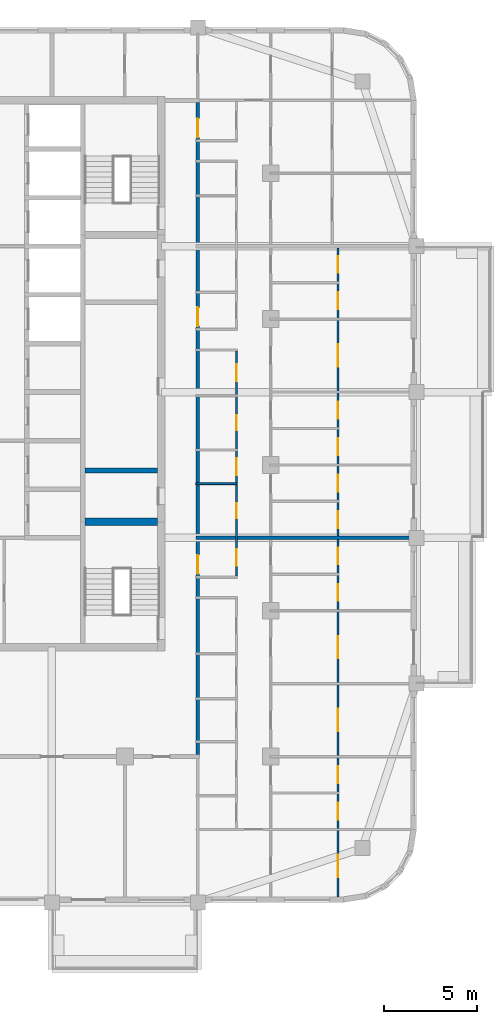
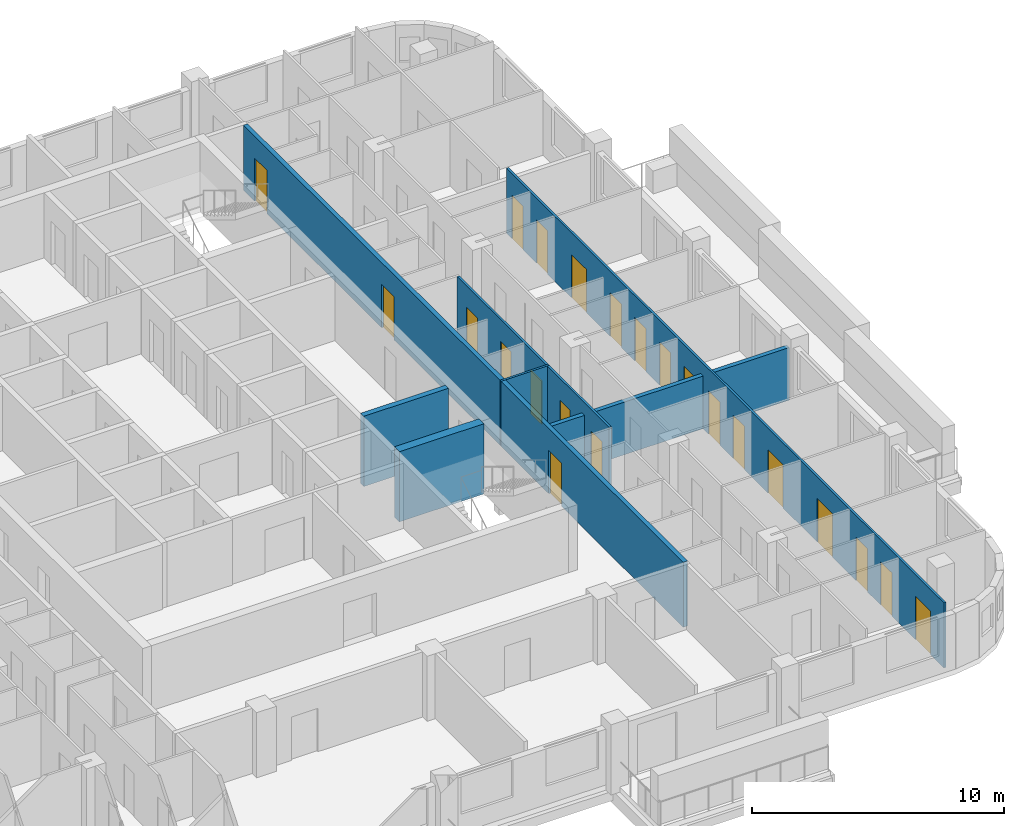
# One storey, part 7 of 16: 22 doors, 7 walls, 22 openings.
"""IFC4 building model written with IfcOpenShell, lengths in metres."""

from ifc_helpers import new_model, si_unit, direction, frame, frame_2d, origin, place, context, subcontext, project, spatial, rectangle, extrude, material, layer, layer_set, type_object, element, fill, save


model = new_model("IFC4")

# Units and contexts
model_context = context("Model", 3, precision=1e-05, world=origin(), true_north=direction((0.0, 1.0)))
body_context = subcontext(model_context, "Body", "Model", "MODEL_VIEW")
ifc_project = project(units=[si_unit("LENGTHUNIT", "METRE"), si_unit("AREAUNIT", "SQUARE_METRE"), si_unit("VOLUMEUNIT", "CUBIC_METRE"), si_unit("PLANEANGLEUNIT", "RADIAN"), si_unit("MASSUNIT", "GRAM", prefix="KILO")], contexts=[model_context])

# Site, building, storey
site_placement = place(None, origin())
site = spatial("IfcSite", under=ifc_project, at=site_placement, CompositionType="ELEMENT")
building_placement = place(site_placement, origin())
building = spatial("IfcBuilding", under=site, at=building_placement, Name="Ludao Terraces", CompositionType="ELEMENT")
storey_placement = place(building_placement, frame((0.0, 0.0, 224.5)))
storey = spatial("IfcBuildingStorey", under=building, at=storey_placement, Name="L61", CompositionType="ELEMENT", Elevation=224.5)

# Wall, openings, doors
ifc_material_1 = material(Name="Autoclaved aerated concrete block B06 A3.5", Category="concrete")
ifc_layer_1 = layer(ifc_material_1, 0.199951171875)
ifc_layer_set_1 = layer_set([ifc_layer_1], Name="INT Entrance wall 200")
wall_type_1 = type_object("IfcWallType", Name="INT Entrance wall 200", PredefinedType="PARTITIONING", material=ifc_layer_set_1)
wall_1_placement = place(storey_placement, frame((96.699951171875, 49.5, 0.0), z_axis=(0.0, 0.0, 1.0), x_axis=(0.0, 1.0, 0.0)))
wall_1 = element("IfcWall", 1, at=wall_1_placement, inside=storey, type_object=wall_type_1, Name="PW-L61-PW089", PredefinedType="PARTITIONING", context=body_context, shape_type="SweptSolid", body=[
    extrude(rectangle(XDim=34.900146484375, YDim=0.199951171875, at=frame_2d((17.4501953125, 0.0))), origin(), (0.0, 0.0, 1.0), 3.14990234375),
])
opening_1_placement = place(wall_1_placement, frame((9.675048828125, 0.0, 0.0)))
opening_1 = element("IfcOpeningElement", 2, at=opening_1_placement, cuts=wall_1, Name="Opening R22-040", PredefinedType="OPENING", context=body_context, shape_type="SweptSolid", body=[
    extrude(rectangle(XDim=1.0, YDim=2.10009765625, at=frame_2d((0.5, 1.050048828125))), frame((0.0, 0.10986328125, 0.0), z_axis=(0.0, -1.0, 0.0), x_axis=(1.0, 0.0, 0.0)), (0.0, 0.0, 1.0), 0.219970703125),
])
opening_2_placement = place(wall_1_placement, frame((22.925048828125, 0.0, 0.0)))
opening_2 = element("IfcOpeningElement", 3, at=opening_2_placement, cuts=wall_1, Name="Opening R22-089", PredefinedType="OPENING", context=body_context, shape_type="SweptSolid", body=[
    extrude(rectangle(XDim=1.0, YDim=2.10009765625, at=frame_2d((0.5, 1.050048828125))), frame((0.0, 0.10986328125, 0.0), z_axis=(0.0, -1.0, 0.0), x_axis=(1.0, 0.0, 0.0)), (0.0, 0.0, 1.0), 0.219970703125),
])
opening_3_placement = place(wall_1_placement, frame((33.025146484375, 0.0, 0.0)))
opening_3 = element("IfcOpeningElement", 4, at=opening_3_placement, cuts=wall_1, Name="Opening R22-122", PredefinedType="OPENING", context=body_context, shape_type="SweptSolid", body=[
    extrude(rectangle(XDim=1.0, YDim=2.10009765625, at=frame_2d((0.5, 1.050048828125))), frame((0.0, 0.10986328125, 0.0), z_axis=(0.0, -1.0, 0.0), x_axis=(1.0, 0.0, 0.0)), (0.0, 0.0, 1.0), 0.219970703125),
])
ifc_material_2 = material(Name="Steel Q235", Category="steel")
door_type_1 = type_object("IfcDoorType", Name="INT Flat entrance door 1000", OperationType="SINGLE_SWING_LEFT", PredefinedType="DOOR", material=ifc_material_2)
door_1_placement = place(opening_1_placement, origin())
door_1 = element("IfcDoor", 5, at=door_1_placement, inside=storey, type_object=door_type_1, Name="DOOR 040", OperationType="SINGLE_SWING_LEFT", OverallHeight=2.10009765625, OverallWidth=1.0, PredefinedType="DOOR", context=body_context, shape_type="SweptSolid", body=[
    extrude(rectangle(XDim=1.0, YDim=2.10009765625, at=frame_2d((0.5, 1.050048828125))), frame((0.0, 0.02490234375, 0.0), z_axis=(0.0, -1.0, 0.0), x_axis=(1.0, 0.0, 0.0)), (0.0, 0.0, 1.0), 0.050048828125),
])
fill(opening_1, door_1)
door_2_placement = place(opening_2_placement, origin())
door_2 = element("IfcDoor", 6, at=door_2_placement, inside=storey, type_object=door_type_1, Name="DOOR 089", OperationType="SINGLE_SWING_LEFT", OverallHeight=2.10009765625, OverallWidth=1.0, PredefinedType="DOOR", context=body_context, shape_type="SweptSolid", body=[
    extrude(rectangle(XDim=1.0, YDim=2.10009765625, at=frame_2d((0.5, 1.050048828125))), frame((0.0, 0.02490234375, 0.0), z_axis=(0.0, -1.0, 0.0), x_axis=(1.0, 0.0, 0.0)), (0.0, 0.0, 1.0), 0.050048828125),
])
fill(opening_2, door_2)
door_3_placement = place(opening_3_placement, origin())
door_3 = element("IfcDoor", 7, at=door_3_placement, inside=storey, type_object=door_type_1, Name="DOOR 122", OperationType="SINGLE_SWING_LEFT", OverallHeight=2.10009765625, OverallWidth=1.0, PredefinedType="DOOR", context=body_context, shape_type="SweptSolid", body=[
    extrude(rectangle(XDim=1.0, YDim=2.10009765625, at=frame_2d((0.5, 1.050048828125))), frame((0.0, 0.02490234375, 0.0), z_axis=(0.0, -1.0, 0.0), x_axis=(1.0, 0.0, 0.0)), (0.0, 0.0, 1.0), 0.050048828125),
])
fill(opening_3, door_3)

# Wall
ifc_material_3 = material(Name="Gypsum plasterboard", Category="gypsum")
ifc_layer_2 = layer(ifc_material_3, 0.012451171875, Category="gypsum")
ifc_material_4 = material(Name="Mineral wool")
ifc_layer_3 = layer(ifc_material_4, 0.06005859375, Name="insulation")
ifc_layer_4 = layer(ifc_material_2, 0.014892578125, Name="stud")
ifc_layer_5 = layer(ifc_material_3, 0.012451171875, Category="gypsum")
ifc_layer_set_2 = layer_set([ifc_layer_2, ifc_layer_3, ifc_layer_4, ifc_layer_5], Name="INT Partition 100")
wall_type_2 = type_object("IfcWallType", Name="INT Partition 100", PredefinedType="PARTITIONING", material=ifc_layer_set_2)
wall_2_placement = place(storey_placement, frame((96.60009765625, 64.0, 0.0), z_axis=(0.0, 0.0, 1.0), x_axis=(1.0, 0.0, 0.0)))
element("IfcWall", 8, at=wall_2_placement, inside=storey, type_object=wall_type_2, Name="PW-L61-PW030", PredefinedType="PARTITIONING", context=body_context, shape_type="SweptSolid", body=[
    extrude(rectangle(XDim=2.219970703125, YDim=0.10009765625, at=frame_2d((1.10986328125, 0.0))), origin(), (0.0, 0.0, 1.0), 3.14990234375),
])

# Wall, openings, doors
wall_3_placement = place(storey_placement, frame((98.77001953125, 59.050048828125, 0.0), z_axis=(0.0, 0.0, 1.0), x_axis=(0.0, 1.0, 0.0)))
wall_3 = element("IfcWall", 9, at=wall_3_placement, inside=storey, type_object=wall_type_2, Name="PW-L61-PW092", PredefinedType="PARTITIONING", context=body_context, shape_type="SweptSolid", body=[
    extrude(rectangle(XDim=12.050048828125, YDim=0.10009765625, at=frame_2d((6.02490234375, 0.0))), origin(), (0.0, 0.0, 1.0), 3.14990234375),
])
opening_4_placement = place(wall_3_placement, frame((0.550048828125, 0.0, 0.0)))
opening_4 = element("IfcOpeningElement", 10, at=opening_4_placement, cuts=wall_3, Name="Opening R22-041", PredefinedType="OPENING", context=body_context, shape_type="SweptSolid", body=[
    extrude(rectangle(XDim=0.89990234375, YDim=2.10009765625, at=frame_2d((0.449951171875, 1.050048828125))), frame((0.0, 0.06005859375, 0.0), z_axis=(0.0, -1.0, 0.0), x_axis=(1.0, 0.0, 0.0)), (0.0, 0.0, 1.0), 0.1201171875),
])
opening_5_placement = place(wall_3_placement, frame((3.10009765625, 0.0, 0.0)))
opening_5 = element("IfcOpeningElement", 11, at=opening_5_placement, cuts=wall_3, Name="Opening R22-052", PredefinedType="OPENING", context=body_context, shape_type="SweptSolid", body=[
    extrude(rectangle(XDim=0.800048828125, YDim=2.10009765625, at=frame_2d((0.39990234375, 1.050048828125))), frame((0.0, 0.06005859375, 0.0), z_axis=(0.0, -1.0, 0.0), x_axis=(1.0, 0.0, 0.0)), (0.0, 0.0, 1.0), 0.1201171875),
])
opening_6_placement = place(wall_3_placement, frame((5.39990234375, 0.0, 0.0)))
opening_6 = element("IfcOpeningElement", 12, at=opening_6_placement, cuts=wall_3, Name="Opening R22-060", PredefinedType="OPENING", context=body_context, shape_type="SweptSolid", body=[
    extrude(rectangle(XDim=0.89990234375, YDim=2.10009765625, at=frame_2d((0.449951171875, 1.050048828125))), frame((0.0, 0.06005859375, 0.0), z_axis=(0.0, -1.0, 0.0), x_axis=(1.0, 0.0, 0.0)), (0.0, 0.0, 1.0), 0.1201171875),
])
opening_7_placement = place(wall_3_placement, frame((7.800048828125, 0.0, 0.0)))
opening_7 = element("IfcOpeningElement", 13, at=opening_7_placement, cuts=wall_3, Name="Opening R22-069", PredefinedType="OPENING", context=body_context, shape_type="SweptSolid", body=[
    extrude(rectangle(XDim=0.800048828125, YDim=2.10009765625, at=frame_2d((0.39990234375, 1.050048828125))), frame((0.0, 0.06005859375, 0.0), z_axis=(0.0, -1.0, 0.0), x_axis=(1.0, 0.0, 0.0)), (0.0, 0.0, 1.0), 0.1201171875),
])
opening_8_placement = place(wall_3_placement, frame((10.425048828125, 0.0, 0.0)))
opening_8 = element("IfcOpeningElement", 14, at=opening_8_placement, cuts=wall_3, Name="Opening R22-078", PredefinedType="OPENING", context=body_context, shape_type="SweptSolid", body=[
    extrude(rectangle(XDim=0.89990234375, YDim=2.10009765625, at=frame_2d((0.449951171875, 1.050048828125))), frame((0.0, 0.06005859375, 0.0), z_axis=(0.0, -1.0, 0.0), x_axis=(1.0, 0.0, 0.0)), (0.0, 0.0, 1.0), 0.1201171875),
])
ifc_material_5 = material(Name="Timber door leaf", Category="wood")
door_type_2 = type_object("IfcDoorType", Name="INT Bathroom door 900", OperationType="SINGLE_SWING_LEFT", PredefinedType="DOOR", material=ifc_material_5)
door_4_placement = place(opening_6_placement, origin())
door_4 = element("IfcDoor", 15, at=door_4_placement, inside=storey, type_object=door_type_2, Name="DOOR 060", OperationType="SINGLE_SWING_RIGHT", OverallHeight=2.10009765625, OverallWidth=0.89990234375, PredefinedType="DOOR", context=body_context, shape_type="SweptSolid", body=[
    extrude(rectangle(XDim=0.89990234375, YDim=2.10009765625, at=frame_2d((0.449951171875, 1.050048828125))), frame((0.0, 0.02490234375, 0.0), z_axis=(0.0, -1.0, 0.0), x_axis=(1.0, 0.0, 0.0)), (0.0, 0.0, 1.0), 0.050048828125),
])
fill(opening_6, door_4)
door_5_placement = place(opening_8_placement, origin())
door_5 = element("IfcDoor", 16, at=door_5_placement, inside=storey, type_object=door_type_2, Name="DOOR 078", OperationType="SINGLE_SWING_RIGHT", OverallHeight=2.10009765625, OverallWidth=0.89990234375, PredefinedType="DOOR", context=body_context, shape_type="SweptSolid", body=[
    extrude(rectangle(XDim=0.89990234375, YDim=2.10009765625, at=frame_2d((0.449951171875, 1.050048828125))), frame((0.0, 0.02490234375, 0.0), z_axis=(0.0, -1.0, 0.0), x_axis=(1.0, 0.0, 0.0)), (0.0, 0.0, 1.0), 0.050048828125),
])
fill(opening_8, door_5)
door_type_3 = type_object("IfcDoorType", Name="INT Room door 900", OperationType="SINGLE_SWING_LEFT", PredefinedType="DOOR", material=ifc_material_5)
door_6_placement = place(opening_4_placement, origin())
door_6 = element("IfcDoor", 17, at=door_6_placement, inside=storey, type_object=door_type_3, Name="DOOR 041", OperationType="SINGLE_SWING_RIGHT", OverallHeight=2.10009765625, OverallWidth=0.89990234375, PredefinedType="DOOR", context=body_context, shape_type="SweptSolid", body=[
    extrude(rectangle(XDim=0.89990234375, YDim=2.10009765625, at=frame_2d((0.449951171875, 1.050048828125))), frame((0.0, 0.02490234375, 0.0), z_axis=(0.0, -1.0, 0.0), x_axis=(1.0, 0.0, 0.0)), (0.0, 0.0, 1.0), 0.050048828125),
])
fill(opening_4, door_6)
door_type_4 = type_object("IfcDoorType", Name="INT Store door 800", OperationType="SINGLE_SWING_LEFT", PredefinedType="DOOR", material=ifc_material_5)
door_7_placement = place(opening_5_placement, origin())
door_7 = element("IfcDoor", 18, at=door_7_placement, inside=storey, type_object=door_type_4, Name="DOOR 052", OperationType="SINGLE_SWING_LEFT", OverallHeight=2.10009765625, OverallWidth=0.800048828125, PredefinedType="DOOR", context=body_context, shape_type="SweptSolid", body=[
    extrude(rectangle(XDim=0.800048828125, YDim=2.10009765625, at=frame_2d((0.39990234375, 1.050048828125))), frame((0.0, 0.02490234375, 0.0), z_axis=(0.0, -1.0, 0.0), x_axis=(1.0, 0.0, 0.0)), (0.0, 0.0, 1.0), 0.050048828125),
])
fill(opening_5, door_7)
door_8_placement = place(opening_7_placement, origin())
door_8 = element("IfcDoor", 19, at=door_8_placement, inside=storey, type_object=door_type_4, Name="DOOR 069", OperationType="SINGLE_SWING_LEFT", OverallHeight=2.10009765625, OverallWidth=0.800048828125, PredefinedType="DOOR", context=body_context, shape_type="SweptSolid", body=[
    extrude(rectangle(XDim=0.800048828125, YDim=2.10009765625, at=frame_2d((0.39990234375, 1.050048828125))), frame((0.0, 0.02490234375, 0.0), z_axis=(0.0, -1.0, 0.0), x_axis=(1.0, 0.0, 0.0)), (0.0, 0.0, 1.0), 0.050048828125),
])
fill(opening_7, door_8)

wall_4_placement = place(storey_placement, frame((104.199951171875, 41.900146484375, 0.0), z_axis=(0.0, 0.0, 1.0), x_axis=(0.0, 1.0, 0.0)))
wall_4 = element("IfcWall", 20, at=wall_4_placement, inside=storey, type_object=wall_type_2, Name="PW-L61-PW097", PredefinedType="PARTITIONING", context=body_context, shape_type="SweptSolid", body=[
    extrude(rectangle(XDim=34.699951171875, YDim=0.10009765625, at=frame_2d((17.35009765625, 0.0))), origin(), (0.0, 0.0, 1.0), 3.14990234375),
])
opening_9_placement = place(wall_4_placement, frame((1.050048828125, 0.0, 0.0)))
opening_9 = element("IfcOpeningElement", 21, at=opening_9_placement, cuts=wall_4, Name="Opening R22-004", PredefinedType="OPENING", context=body_context, shape_type="SweptSolid", body=[
    extrude(rectangle(XDim=1.199951171875, YDim=2.10009765625, at=frame_2d((0.60009765625, 1.050048828125))), frame((0.0, 0.06005859375, 0.0), z_axis=(0.0, -1.0, 0.0), x_axis=(1.0, 0.0, 0.0)), (0.0, 0.0, 1.0), 0.1201171875),
])
opening_10_placement = place(wall_4_placement, frame((4.125, 0.0, 0.0)))
opening_10 = element("IfcOpeningElement", 22, at=opening_10_placement, cuts=wall_4, Name="Opening R22-008", PredefinedType="OPENING", context=body_context, shape_type="SweptSolid", body=[
    extrude(rectangle(XDim=0.89990234375, YDim=2.10009765625, at=frame_2d((0.449951171875, 1.050048828125))), frame((0.0, 0.06005859375, 0.0), z_axis=(0.0, -1.0, 0.0), x_axis=(1.0, 0.0, 0.0)), (0.0, 0.0, 1.0), 0.1201171875),
])
opening_11_placement = place(wall_4_placement, frame((6.074951171875, 0.0, 0.0)))
opening_11 = element("IfcOpeningElement", 23, at=opening_11_placement, cuts=wall_4, Name="Opening R22-013", PredefinedType="OPENING", context=body_context, shape_type="SweptSolid", body=[
    extrude(rectangle(XDim=0.89990234375, YDim=2.10009765625, at=frame_2d((0.449951171875, 1.050048828125))), frame((0.0, 0.06005859375, 0.0), z_axis=(0.0, -1.0, 0.0), x_axis=(1.0, 0.0, 0.0)), (0.0, 0.0, 1.0), 0.1201171875),
])
opening_12_placement = place(wall_4_placement, frame((8.85009765625, 0.0, 0.0)))
opening_12 = element("IfcOpeningElement", 24, at=opening_12_placement, cuts=wall_4, Name="Opening R22-023", PredefinedType="OPENING", context=body_context, shape_type="SweptSolid", body=[
    extrude(rectangle(XDim=1.199951171875, YDim=2.10009765625, at=frame_2d((0.60009765625, 1.050048828125))), frame((0.0, 0.06005859375, 0.0), z_axis=(0.0, -1.0, 0.0), x_axis=(1.0, 0.0, 0.0)), (0.0, 0.0, 1.0), 0.1201171875),
])
opening_13_placement = place(wall_4_placement, frame((12.75, 0.0, 0.0)))
opening_13 = element("IfcOpeningElement", 25, at=opening_13_placement, cuts=wall_4, Name="Opening R22-030", PredefinedType="OPENING", context=body_context, shape_type="SweptSolid", body=[
    extrude(rectangle(XDim=1.199951171875, YDim=2.10009765625, at=frame_2d((0.60009765625, 1.050048828125))), frame((0.0, 0.06005859375, 0.0), z_axis=(0.0, -1.0, 0.0), x_axis=(1.0, 0.0, 0.0)), (0.0, 0.0, 1.0), 0.1201171875),
])
opening_14_placement = place(wall_4_placement, frame((15.824951171875, 0.0, 0.0)))
opening_14 = element("IfcOpeningElement", 26, at=opening_14_placement, cuts=wall_4, Name="Opening R22-038", PredefinedType="OPENING", context=body_context, shape_type="SweptSolid", body=[
    extrude(rectangle(XDim=0.89990234375, YDim=2.10009765625, at=frame_2d((0.449951171875, 1.050048828125))), frame((0.0, 0.06005859375, 0.0), z_axis=(0.0, -1.0, 0.0), x_axis=(1.0, 0.0, 0.0)), (0.0, 0.0, 1.0), 0.1201171875),
])
opening_15_placement = place(wall_4_placement, frame((17.77490234375, 0.0, 0.0)))
opening_15 = element("IfcOpeningElement", 27, at=opening_15_placement, cuts=wall_4, Name="Opening R22-045", PredefinedType="OPENING", context=body_context, shape_type="SweptSolid", body=[
    extrude(rectangle(XDim=0.89990234375, YDim=2.10009765625, at=frame_2d((0.449951171875, 1.050048828125))), frame((0.0, 0.06005859375, 0.0), z_axis=(0.0, -1.0, 0.0), x_axis=(1.0, 0.0, 0.0)), (0.0, 0.0, 1.0), 0.1201171875),
])
opening_16_placement = place(wall_4_placement, frame((19.72509765625, 0.0, 0.0)))
opening_16 = element("IfcOpeningElement", 28, at=opening_16_placement, cuts=wall_4, Name="Opening R22-049", PredefinedType="OPENING", context=body_context, shape_type="SweptSolid", body=[
    extrude(rectangle(XDim=0.89990234375, YDim=2.10009765625, at=frame_2d((0.449951171875, 1.050048828125))), frame((0.0, 0.06005859375, 0.0), z_axis=(0.0, -1.0, 0.0), x_axis=(1.0, 0.0, 0.0)), (0.0, 0.0, 1.0), 0.1201171875),
])
opening_17_placement = place(wall_4_placement, frame((21.675048828125, 0.0, 0.0)))
opening_17 = element("IfcOpeningElement", 29, at=opening_17_placement, cuts=wall_4, Name="Opening R22-059", PredefinedType="OPENING", context=body_context, shape_type="SweptSolid", body=[
    extrude(rectangle(XDim=0.89990234375, YDim=2.10009765625, at=frame_2d((0.449951171875, 1.050048828125))), frame((0.0, 0.06005859375, 0.0), z_axis=(0.0, -1.0, 0.0), x_axis=(1.0, 0.0, 0.0)), (0.0, 0.0, 1.0), 0.1201171875),
])
opening_18_placement = place(wall_4_placement, frame((23.625, 0.0, 0.0)))
opening_18 = element("IfcOpeningElement", 30, at=opening_18_placement, cuts=wall_4, Name="Opening R22-064", PredefinedType="OPENING", context=body_context, shape_type="SweptSolid", body=[
    extrude(rectangle(XDim=0.89990234375, YDim=2.10009765625, at=frame_2d((0.449951171875, 1.050048828125))), frame((0.0, 0.06005859375, 0.0), z_axis=(0.0, -1.0, 0.0), x_axis=(1.0, 0.0, 0.0)), (0.0, 0.0, 1.0), 0.1201171875),
])
opening_19_placement = place(wall_4_placement, frame((25.574951171875, 0.0, 0.0)))
opening_19 = element("IfcOpeningElement", 31, at=opening_19_placement, cuts=wall_4, Name="Opening R22-073", PredefinedType="OPENING", context=body_context, shape_type="SweptSolid", body=[
    extrude(rectangle(XDim=0.89990234375, YDim=2.10009765625, at=frame_2d((0.449951171875, 1.050048828125))), frame((0.0, 0.06005859375, 0.0), z_axis=(0.0, -1.0, 0.0), x_axis=(1.0, 0.0, 0.0)), (0.0, 0.0, 1.0), 0.1201171875),
])
opening_20_placement = place(wall_4_placement, frame((28.35009765625, 0.0, 0.0)))
opening_20 = element("IfcOpeningElement", 32, at=opening_20_placement, cuts=wall_4, Name="Opening R22-083", PredefinedType="OPENING", context=body_context, shape_type="SweptSolid", body=[
    extrude(rectangle(XDim=1.199951171875, YDim=2.10009765625, at=frame_2d((0.60009765625, 1.050048828125))), frame((0.0, 0.06005859375, 0.0), z_axis=(0.0, -1.0, 0.0), x_axis=(1.0, 0.0, 0.0)), (0.0, 0.0, 1.0), 0.1201171875),
])
opening_21_placement = place(wall_4_placement, frame((31.425048828125, 0.0, 0.0)))
opening_21 = element("IfcOpeningElement", 33, at=opening_21_placement, cuts=wall_4, Name="Opening R22-093", PredefinedType="OPENING", context=body_context, shape_type="SweptSolid", body=[
    extrude(rectangle(XDim=0.89990234375, YDim=2.10009765625, at=frame_2d((0.449951171875, 1.050048828125))), frame((0.0, 0.06005859375, 0.0), z_axis=(0.0, -1.0, 0.0), x_axis=(1.0, 0.0, 0.0)), (0.0, 0.0, 1.0), 0.1201171875),
])
opening_22_placement = place(wall_4_placement, frame((33.375, 0.0, 0.0)))
opening_22 = element("IfcOpeningElement", 34, at=opening_22_placement, cuts=wall_4, Name="Opening R22-102", PredefinedType="OPENING", context=body_context, shape_type="SweptSolid", body=[
    extrude(rectangle(XDim=0.89990234375, YDim=2.10009765625, at=frame_2d((0.449951171875, 1.050048828125))), frame((0.0, 0.06005859375, 0.0), z_axis=(0.0, -1.0, 0.0), x_axis=(1.0, 0.0, 0.0)), (0.0, 0.0, 1.0), 0.1201171875),
])
door_9_placement = place(opening_10_placement, origin())
door_9 = element("IfcDoor", 35, at=door_9_placement, inside=storey, type_object=door_type_2, Name="DOOR 008", OperationType="SINGLE_SWING_RIGHT", OverallHeight=2.10009765625, OverallWidth=0.89990234375, PredefinedType="DOOR", context=body_context, shape_type="SweptSolid", body=[
    extrude(rectangle(XDim=0.89990234375, YDim=2.10009765625, at=frame_2d((0.449951171875, 1.050048828125))), frame((0.0, 0.02490234375, 0.0), z_axis=(0.0, -1.0, 0.0), x_axis=(1.0, 0.0, 0.0)), (0.0, 0.0, 1.0), 0.050048828125),
])
fill(opening_10, door_9)
door_10_placement = place(opening_14_placement, origin())
door_10 = element("IfcDoor", 36, at=door_10_placement, inside=storey, type_object=door_type_2, Name="DOOR 038", OperationType="SINGLE_SWING_LEFT", OverallHeight=2.10009765625, OverallWidth=0.89990234375, PredefinedType="DOOR", context=body_context, shape_type="SweptSolid", body=[
    extrude(rectangle(XDim=0.89990234375, YDim=2.10009765625, at=frame_2d((0.449951171875, 1.050048828125))), frame((0.0, 0.02490234375, 0.0), z_axis=(0.0, -1.0, 0.0), x_axis=(1.0, 0.0, 0.0)), (0.0, 0.0, 1.0), 0.050048828125),
])
fill(opening_14, door_10)
door_11_placement = place(opening_16_placement, origin())
door_11 = element("IfcDoor", 37, at=door_11_placement, inside=storey, type_object=door_type_2, Name="DOOR 049", OperationType="SINGLE_SWING_LEFT", OverallHeight=2.10009765625, OverallWidth=0.89990234375, PredefinedType="DOOR", context=body_context, shape_type="SweptSolid", body=[
    extrude(rectangle(XDim=0.89990234375, YDim=2.10009765625, at=frame_2d((0.449951171875, 1.050048828125))), frame((0.0, 0.02490234375, 0.0), z_axis=(0.0, -1.0, 0.0), x_axis=(1.0, 0.0, 0.0)), (0.0, 0.0, 1.0), 0.050048828125),
])
fill(opening_16, door_11)
door_12_placement = place(opening_18_placement, origin())
door_12 = element("IfcDoor", 38, at=door_12_placement, inside=storey, type_object=door_type_2, Name="DOOR 064", OperationType="SINGLE_SWING_LEFT", OverallHeight=2.10009765625, OverallWidth=0.89990234375, PredefinedType="DOOR", context=body_context, shape_type="SweptSolid", body=[
    extrude(rectangle(XDim=0.89990234375, YDim=2.10009765625, at=frame_2d((0.449951171875, 1.050048828125))), frame((0.0, 0.02490234375, 0.0), z_axis=(0.0, -1.0, 0.0), x_axis=(1.0, 0.0, 0.0)), (0.0, 0.0, 1.0), 0.050048828125),
])
fill(opening_18, door_12)
door_13_placement = place(opening_21_placement, origin())
door_13 = element("IfcDoor", 39, at=door_13_placement, inside=storey, type_object=door_type_2, Name="DOOR 093", OperationType="SINGLE_SWING_LEFT", OverallHeight=2.10009765625, OverallWidth=0.89990234375, PredefinedType="DOOR", context=body_context, shape_type="SweptSolid", body=[
    extrude(rectangle(XDim=0.89990234375, YDim=2.10009765625, at=frame_2d((0.449951171875, 1.050048828125))), frame((0.0, 0.02490234375, 0.0), z_axis=(0.0, -1.0, 0.0), x_axis=(1.0, 0.0, 0.0)), (0.0, 0.0, 1.0), 0.050048828125),
])
fill(opening_21, door_13)
door_type_5 = type_object("IfcDoorType", Name="INT Double door 1200", OperationType="DOUBLE_DOOR_SINGLE_SWING", PredefinedType="DOOR", material=ifc_material_5)
door_14_placement = place(opening_9_placement, origin())
door_14 = element("IfcDoor", 40, at=door_14_placement, inside=storey, type_object=door_type_5, Name="DOOR 004", OperationType="DOUBLE_DOOR_SINGLE_SWING", OverallHeight=2.10009765625, OverallWidth=1.199951171875, PredefinedType="DOOR", context=body_context, shape_type="SweptSolid", body=[
    extrude(rectangle(XDim=1.199951171875, YDim=2.10009765625, at=frame_2d((0.60009765625, 1.050048828125))), frame((0.0, 0.02490234375, 0.0), z_axis=(0.0, -1.0, 0.0), x_axis=(1.0, 0.0, 0.0)), (0.0, 0.0, 1.0), 0.050048828125),
])
fill(opening_9, door_14)
door_15_placement = place(opening_12_placement, origin())
door_15 = element("IfcDoor", 41, at=door_15_placement, inside=storey, type_object=door_type_5, Name="DOOR 023", OperationType="DOUBLE_DOOR_SINGLE_SWING", OverallHeight=2.10009765625, OverallWidth=1.199951171875, PredefinedType="DOOR", context=body_context, shape_type="SweptSolid", body=[
    extrude(rectangle(XDim=1.199951171875, YDim=2.10009765625, at=frame_2d((0.60009765625, 1.050048828125))), frame((0.0, 0.02490234375, 0.0), z_axis=(0.0, -1.0, 0.0), x_axis=(1.0, 0.0, 0.0)), (0.0, 0.0, 1.0), 0.050048828125),
])
fill(opening_12, door_15)
door_16_placement = place(opening_13_placement, origin())
door_16 = element("IfcDoor", 42, at=door_16_placement, inside=storey, type_object=door_type_5, Name="DOOR 030", OperationType="DOUBLE_DOOR_SINGLE_SWING", OverallHeight=2.10009765625, OverallWidth=1.199951171875, PredefinedType="DOOR", context=body_context, shape_type="SweptSolid", body=[
    extrude(rectangle(XDim=1.199951171875, YDim=2.10009765625, at=frame_2d((0.60009765625, 1.050048828125))), frame((0.0, 0.02490234375, 0.0), z_axis=(0.0, -1.0, 0.0), x_axis=(1.0, 0.0, 0.0)), (0.0, 0.0, 1.0), 0.050048828125),
])
fill(opening_13, door_16)
door_17_placement = place(opening_20_placement, origin())
door_17 = element("IfcDoor", 43, at=door_17_placement, inside=storey, type_object=door_type_5, Name="DOOR 083", OperationType="DOUBLE_DOOR_SINGLE_SWING", OverallHeight=2.10009765625, OverallWidth=1.199951171875, PredefinedType="DOOR", context=body_context, shape_type="SweptSolid", body=[
    extrude(rectangle(XDim=1.199951171875, YDim=2.10009765625, at=frame_2d((0.60009765625, 1.050048828125))), frame((0.0, 0.02490234375, 0.0), z_axis=(0.0, -1.0, 0.0), x_axis=(1.0, 0.0, 0.0)), (0.0, 0.0, 1.0), 0.050048828125),
])
fill(opening_20, door_17)
door_18_placement = place(opening_11_placement, origin())
door_18 = element("IfcDoor", 44, at=door_18_placement, inside=storey, type_object=door_type_3, Name="DOOR 013", OperationType="SINGLE_SWING_LEFT", OverallHeight=2.10009765625, OverallWidth=0.89990234375, PredefinedType="DOOR", context=body_context, shape_type="SweptSolid", body=[
    extrude(rectangle(XDim=0.89990234375, YDim=2.10009765625, at=frame_2d((0.449951171875, 1.050048828125))), frame((0.0, 0.02490234375, 0.0), z_axis=(0.0, -1.0, 0.0), x_axis=(1.0, 0.0, 0.0)), (0.0, 0.0, 1.0), 0.050048828125),
])
fill(opening_11, door_18)
door_19_placement = place(opening_15_placement, origin())
door_19 = element("IfcDoor", 45, at=door_19_placement, inside=storey, type_object=door_type_3, Name="DOOR 045", OperationType="SINGLE_SWING_LEFT", OverallHeight=2.10009765625, OverallWidth=0.89990234375, PredefinedType="DOOR", context=body_context, shape_type="SweptSolid", body=[
    extrude(rectangle(XDim=0.89990234375, YDim=2.10009765625, at=frame_2d((0.449951171875, 1.050048828125))), frame((0.0, 0.02490234375, 0.0), z_axis=(0.0, -1.0, 0.0), x_axis=(1.0, 0.0, 0.0)), (0.0, 0.0, 1.0), 0.050048828125),
])
fill(opening_15, door_19)
door_20_placement = place(opening_17_placement, origin())
door_20 = element("IfcDoor", 46, at=door_20_placement, inside=storey, type_object=door_type_3, Name="DOOR 059", OperationType="SINGLE_SWING_LEFT", OverallHeight=2.10009765625, OverallWidth=0.89990234375, PredefinedType="DOOR", context=body_context, shape_type="SweptSolid", body=[
    extrude(rectangle(XDim=0.89990234375, YDim=2.10009765625, at=frame_2d((0.449951171875, 1.050048828125))), frame((0.0, 0.02490234375, 0.0), z_axis=(0.0, -1.0, 0.0), x_axis=(1.0, 0.0, 0.0)), (0.0, 0.0, 1.0), 0.050048828125),
])
fill(opening_17, door_20)
door_21_placement = place(opening_19_placement, origin())
door_21 = element("IfcDoor", 47, at=door_21_placement, inside=storey, type_object=door_type_3, Name="DOOR 073", OperationType="SINGLE_SWING_RIGHT", OverallHeight=2.10009765625, OverallWidth=0.89990234375, PredefinedType="DOOR", context=body_context, shape_type="SweptSolid", body=[
    extrude(rectangle(XDim=0.89990234375, YDim=2.10009765625, at=frame_2d((0.449951171875, 1.050048828125))), frame((0.0, 0.02490234375, 0.0), z_axis=(0.0, -1.0, 0.0), x_axis=(1.0, 0.0, 0.0)), (0.0, 0.0, 1.0), 0.050048828125),
])
fill(opening_19, door_21)
door_22_placement = place(opening_22_placement, origin())
door_22 = element("IfcDoor", 48, at=door_22_placement, inside=storey, type_object=door_type_3, Name="DOOR 102", OperationType="SINGLE_SWING_RIGHT", OverallHeight=2.10009765625, OverallWidth=0.89990234375, PredefinedType="DOOR", context=body_context, shape_type="SweptSolid", body=[
    extrude(rectangle(XDim=0.89990234375, YDim=2.10009765625, at=frame_2d((0.449951171875, 1.050048828125))), frame((0.0, 0.02490234375, 0.0), z_axis=(0.0, -1.0, 0.0), x_axis=(1.0, 0.0, 0.0)), (0.0, 0.0, 1.0), 0.050048828125),
])
fill(opening_22, door_22)

# Walls
ifc_layer_6 = layer(ifc_material_1, 0.199951171875)
ifc_layer_set_3 = layer_set([ifc_layer_6], Name="INT Party wall 200")
wall_type_3 = type_object("IfcWallType", Name="INT Party wall 200", PredefinedType="PARTITIONING", material=ifc_layer_set_3)
wall_5_placement = place(storey_placement, frame((96.60009765625, 61.10009765625, 0.0), z_axis=(0.0, 0.0, 1.0), x_axis=(1.0, 0.0, 0.0)))
element("IfcWall", 49, at=wall_5_placement, inside=storey, type_object=wall_type_3, Name="PW-L61-PW027", PredefinedType="PARTITIONING", context=body_context, shape_type="SweptSolid", body=[
    extrude(rectangle(XDim=11.5, YDim=0.199951171875, at=frame_2d((5.75, 0.0))), origin(), (0.0, 0.0, 1.0), 2.550048828125),
])
ifc_material_6 = material(Name="Concrete C50", Category="concrete")
ifc_layer_7 = layer(ifc_material_6, 0.25)
ifc_layer_set_4 = layer_set([ifc_layer_7], Name="Shaft wall 250 C50")
wall_type_4 = type_object("IfcWallType", Name="Shaft wall 250 C50", PredefinedType="SOLIDWALL", material=ifc_layer_set_4)
wall_6_placement = place(storey_placement, frame((90.675048828125, 64.699951171875, -0.25), z_axis=(0.0, 0.0, 1.0), x_axis=(1.0, 0.0, 0.0)))
element("IfcWall", 50, at=wall_6_placement, inside=storey, type_object=wall_type_4, Name="Core wall L61 riser-a-E", PredefinedType="SOLIDWALL", context=body_context, shape_type="SweptSolid", body=[
    extrude(rectangle(XDim=3.875, YDim=0.25, at=frame_2d((1.9375, 0.0))), origin(), (0.0, 0.0, 1.0), 3.39990234375),
])
ifc_layer_8 = layer(ifc_material_6, 0.39990234375)
ifc_layer_set_5 = layer_set([ifc_layer_8], Name="Shaft wall 400 C50")
wall_type_5 = type_object("IfcWallType", Name="Shaft wall 400 C50", PredefinedType="SOLIDWALL", material=ifc_layer_set_5)
wall_7_placement = place(storey_placement, frame((90.675048828125, 61.949951171875, -0.25), z_axis=(0.0, 0.0, 1.0), x_axis=(1.0, 0.0, 0.0)))
element("IfcWall", 51, at=wall_7_placement, inside=storey, type_object=wall_type_5, Name="Core wall L61 hall-E", PredefinedType="SOLIDWALL", context=body_context, shape_type="SweptSolid", body=[
    extrude(rectangle(XDim=3.875, YDim=0.39990234375, at=frame_2d((1.9375, 0.0))), origin(), (0.0, 0.0, 1.0), 3.39990234375),
])

save(model, "model.ifc")
